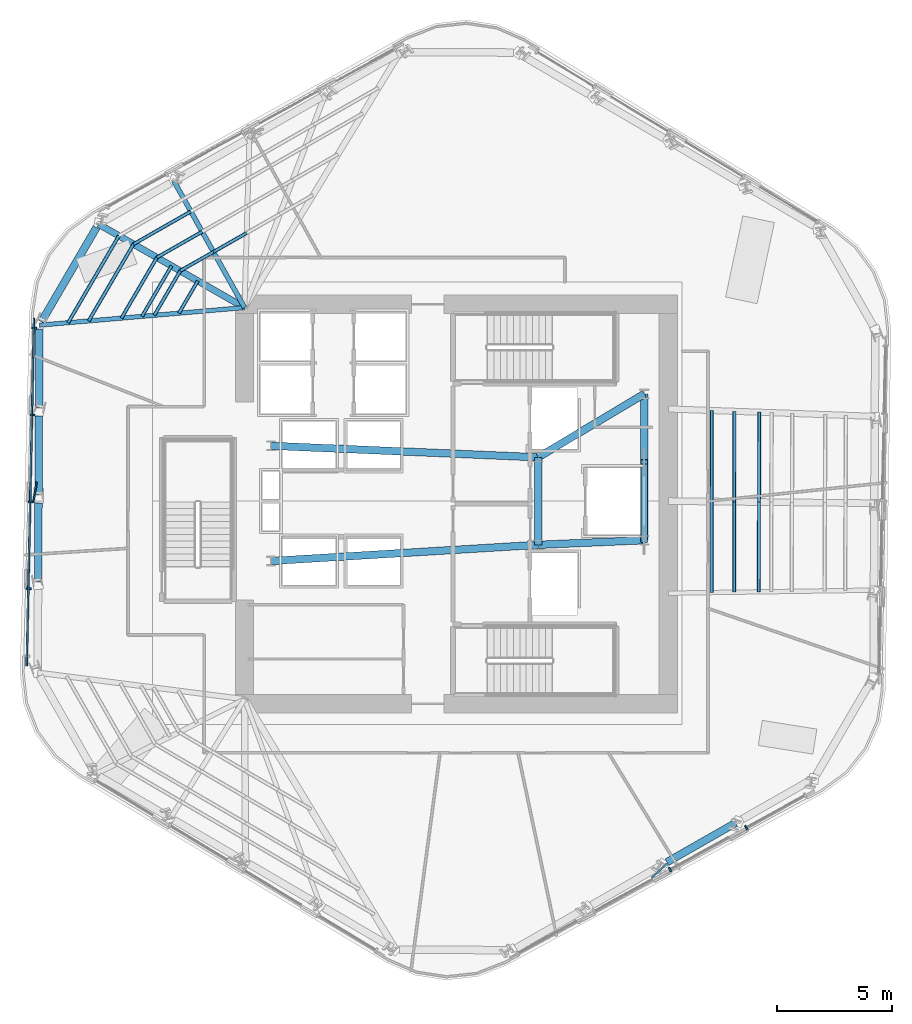
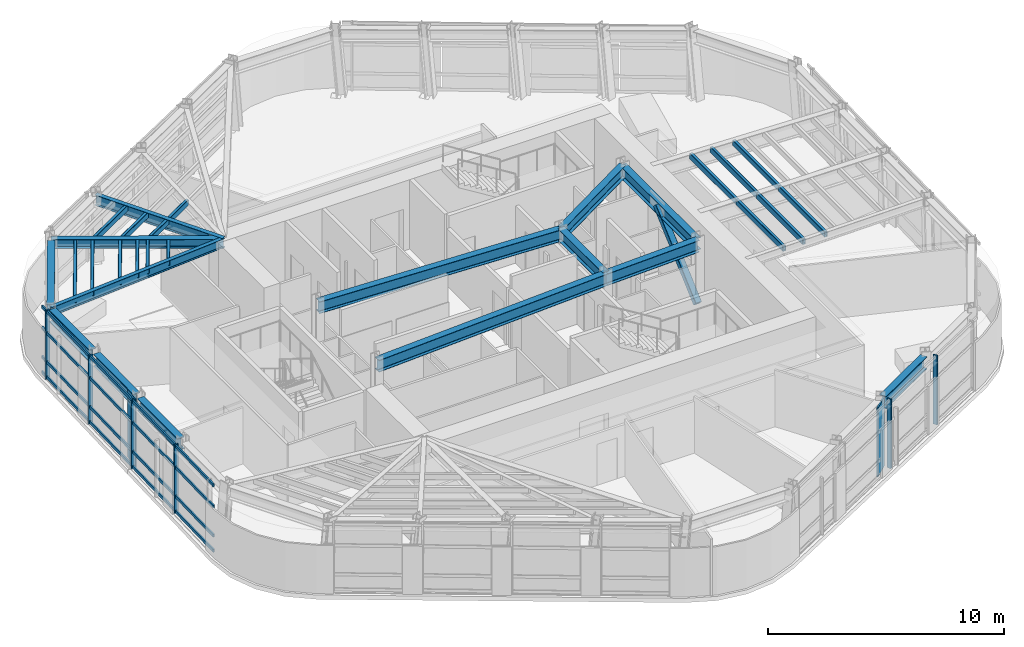
# One storey, part 3 of 14: 29 members, 14 beams, 2 elements without a shape of their own.
"""IFC4 building model written with IfcOpenShell, lengths in metres."""

from ifc_helpers import new_model, si_unit, direction, frame, origin, origin_2d, place, context, subcontext, project, spatial, rectangle, hollow_rectangle, i_section, extrude, material, layer, layer_set, material_profile, profile_set, type_object, element, aggregate, save


model = new_model("IFC4")

# Units and contexts
model_context = context("Model", 3, precision=1e-05, world=origin(), true_north=direction((0.0, 1.0)))
body_context = subcontext(model_context, "Body", "Model", "MODEL_VIEW")
ifc_project = project(units=[si_unit("LENGTHUNIT", "METRE"), si_unit("AREAUNIT", "SQUARE_METRE"), si_unit("VOLUMEUNIT", "CUBIC_METRE"), si_unit("PLANEANGLEUNIT", "RADIAN"), si_unit("MASSUNIT", "GRAM", prefix="KILO")], contexts=[model_context])

# Site, building, storey
site_placement = place(None, origin())
site = spatial("IfcSite", under=ifc_project, at=site_placement, CompositionType="ELEMENT")
building_placement = place(site_placement, origin())
building = spatial("IfcBuilding", under=site, at=building_placement, Name="Valkerne Bourse Tower", CompositionType="ELEMENT")
storey_placement = place(building_placement, frame((0.0, 0.0, 147.60009765625)))
storey = spatial("IfcBuildingStorey", under=building, at=storey_placement, Name="L37", CompositionType="ELEMENT", Elevation=147.60009765625)

# Beams
ifc_material_1 = material(Name="Steel ASTM A992", Category="steel")
ifc_material_profile_1 = material_profile(ifc_material_1, i_section(OverallWidth=0.1904296875, OverallDepth=0.457275390625, WebThickness=0.009033203125, FlangeThickness=0.014404296875, FilletRadius=0.01513671875, at=origin_2d()), Name="W18X50")
ifc_profile_set_1 = profile_set([ifc_material_profile_1], Name="Steel ASTM A992")
beam_type_1 = type_object("IfcBeamType", Name="BM-W18X50", PredefinedType="JOIST", material=ifc_profile_set_1)
beam_1_placement = place(storey_placement, frame((28.696533203125, 34.636962890625, 3.351318359375), z_axis=(0.996348774148, 0.085376344819, 0.0), x_axis=(-0.085376344819, 0.996348774148, 0.0)))
element("IfcBeam", 1, at=beam_1_placement, inside=storey, type_object=beam_type_1, Name="L37 Radial Composite Floor Beam 10", PredefinedType="JOIST", context=body_context, shape_type="SweptSolid", body=[
    extrude(i_section(OverallWidth=0.1904296875, OverallDepth=0.457275390625, WebThickness=0.009033203125, FlangeThickness=0.014404296875, FilletRadius=0.01513671875, at=origin_2d()), origin(), (0.0, 0.0, 1.0), 8.936279296875),
])
ifc_material_profile_2 = material_profile(ifc_material_1, i_section(OverallWidth=0.279296875, OverallDepth=0.46240234375, WebThickness=0.0107421875, FlangeThickness=0.017333984375, FilletRadius=0.017822265625, at=origin_2d()), Name="W18X76")
ifc_profile_set_2 = profile_set([ifc_material_profile_2], Name="Steel ASTM A992")
beam_type_2 = type_object("IfcBeamType", Name="BM-W18X76", PredefinedType="BEAM", material=ifc_profile_set_2)
beam_2_placement = place(storey_placement, frame((31.259521484375, 39.02294921875, 3.3486328125), z_axis=(0.868251371315, -0.496124536996, 0.0), x_axis=(0.496124536996, 0.868251371315, 0.0)))
element("IfcBeam", 2, at=beam_2_placement, inside=storey, type_object=beam_type_2, Name="L37 Radial Composite Floor Beam 09", PredefinedType="BEAM", context=body_context, shape_type="SweptSolid", body=[
    extrude(i_section(OverallWidth=0.279296875, OverallDepth=0.46240234375, WebThickness=0.0107421875, FlangeThickness=0.017333984375, FilletRadius=0.017822265625, at=origin_2d()), origin(), (0.0, 0.0, 1.0), 7.302734375),
])
ifc_material_profile_3 = material_profile(ifc_material_1, i_section(OverallWidth=0.209228515625, OverallDepth=0.533447265625, WebThickness=0.01025390625, FlangeThickness=0.015625, FilletRadius=0.017822265625, at=origin_2d()), Name="W21X62")
ifc_profile_set_3 = profile_set([ifc_material_profile_3], Name="Steel ASTM A992")
beam_type_3 = type_object("IfcBeamType", Name="BM-W21X62", PredefinedType="JOIST", material=ifc_profile_set_3)
beam_3_placement = place(storey_placement, frame((34.53515625, 40.891357421875, 3.313232421875), z_axis=(0.487359275519, -0.87320154407, 0.0), x_axis=(0.87320154407, 0.487359275519, 0.0)))
element("IfcBeam", 3, at=beam_3_placement, inside=storey, type_object=beam_type_3, Name="L37 Radial Composite Floor Beam 08", PredefinedType="JOIST", context=body_context, shape_type="SweptSolid", body=[
    extrude(i_section(OverallWidth=0.209228515625, OverallDepth=0.533447265625, WebThickness=0.01025390625, FlangeThickness=0.015625, FilletRadius=0.017822265625, at=origin_2d()), origin(), (0.0, 0.0, 1.0), 6.288818359375),
])
ifc_material_profile_4 = material_profile(ifc_material_1, i_section(OverallWidth=0.3251953125, OverallDepth=0.612060546875, WebThickness=0.0126953125, FlangeThickness=0.01904296875, FilletRadius=0.020263671875, at=origin_2d()), Name="W24X104")
ifc_profile_set_4 = profile_set([ifc_material_profile_4], Name="Steel ASTM A992")
beam_type_4 = type_object("IfcBeamType", Name="BM-W24X104", PredefinedType="BEAM", material=ifc_profile_set_4)
beam_4_placement = place(storey_placement, frame((50.35009765625, 25.10009765625, 3.27392578125), z_axis=(0.0, 1.0, 0.0), x_axis=(-1.0, 0.0, 0.0)))
element("IfcBeam", 4, at=beam_4_placement, inside=storey, type_object=beam_type_4, Name="L37 Core Frame Girder CG-CE", PredefinedType="BEAM", context=body_context, shape_type="SweptSolid", body=[
    extrude(i_section(OverallWidth=0.3251953125, OverallDepth=0.612060546875, WebThickness=0.0126953125, FlangeThickness=0.01904296875, FilletRadius=0.020263671875, at=origin_2d()), origin(), (0.0, 0.0, 1.0), 3.7998046875),
])
beam_5_placement = place(storey_placement, frame((50.35009765625, 25.10009765625, 3.27392578125), z_axis=(0.999056558506, 0.043428019819, 0.0), x_axis=(-0.043428019819, 0.999056558506, 0.0)))
element("IfcBeam", 5, at=beam_5_placement, inside=storey, type_object=beam_type_4, Name="L37 Core Frame Girder CG-SE", PredefinedType="BEAM", context=body_context, shape_type="SweptSolid", body=[
    extrude(i_section(OverallWidth=0.3251953125, OverallDepth=0.612060546875, WebThickness=0.0126953125, FlangeThickness=0.01904296875, FilletRadius=0.020263671875, at=origin_2d()), origin(), (0.0, 0.0, 1.0), 4.604248046875),
])
beam_6_placement = place(storey_placement, frame((50.35009765625, 28.89990234375, 3.27392578125), z_axis=(0.858307823492, 0.513135148019, 0.0), x_axis=(-0.513135148019, 0.858307823492, 0.0)))
element("IfcBeam", 6, at=beam_6_placement, inside=storey, type_object=beam_type_4, Name="L37 Core Frame Girder CG-NE", PredefinedType="BEAM", context=body_context, shape_type="SweptSolid", body=[
    extrude(i_section(OverallWidth=0.3251953125, OverallDepth=0.612060546875, WebThickness=0.0126953125, FlangeThickness=0.01904296875, FilletRadius=0.020263671875, at=origin_2d()), origin(), (0.0, 0.0, 1.0), 5.359130859375),
])
beam_7_placement = place(storey_placement, frame((54.949951171875, 25.300048828125, 3.27392578125), z_axis=(0.0, 1.0, 0.0), x_axis=(-1.0, 0.0, 0.0)))
element("IfcBeam", 7, at=beam_7_placement, inside=storey, type_object=beam_type_4, Name="L37 Core Frame Girder CG-EE", PredefinedType="BEAM", context=body_context, shape_type="SweptSolid", body=[
    extrude(i_section(OverallWidth=0.3251953125, OverallDepth=0.612060546875, WebThickness=0.0126953125, FlangeThickness=0.01904296875, FilletRadius=0.020263671875, at=origin_2d()), origin(), (0.0, 0.0, 1.0), 6.349853515625),
])
beam_8_placement = place(storey_placement, frame((38.75, 24.39990234375, 3.27392578125), z_axis=(0.998183228389, 0.060251494276, 0.0), x_axis=(-0.060251494276, 0.998183228389, 0.0)))
element("IfcBeam", 8, at=beam_8_placement, inside=storey, type_object=beam_type_4, Name="L37 Core Frame Girder CG-SW", PredefinedType="BEAM", context=body_context, shape_type="SweptSolid", body=[
    extrude(i_section(OverallWidth=0.3251953125, OverallDepth=0.612060546875, WebThickness=0.0126953125, FlangeThickness=0.01904296875, FilletRadius=0.020263671875, at=origin_2d()), origin(), (0.0, 0.0, 1.0), 11.62109375),
])
beam_9_placement = place(storey_placement, frame((38.75, 29.39990234375, 3.27392578125), z_axis=(0.999072354402, -0.043063101019, 0.0), x_axis=(0.043063101019, 0.999072354402, 0.0)))
element("IfcBeam", 9, at=beam_9_placement, inside=storey, type_object=beam_type_4, Name="L37 Core Frame Girder CG-NW", PredefinedType="BEAM", context=body_context, shape_type="SweptSolid", body=[
    extrude(i_section(OverallWidth=0.3251953125, OverallDepth=0.612060546875, WebThickness=0.0126953125, FlangeThickness=0.01904296875, FilletRadius=0.020263671875, at=origin_2d()), origin(), (0.0, 0.0, 1.0), 11.61083984375),
])
ifc_material_profile_5 = material_profile(ifc_material_1, i_section(OverallWidth=0.32763671875, OverallDepth=0.62744140625, WebThickness=0.0166015625, FlangeThickness=0.027587890625, FilletRadius=0.020263671875, at=origin_2d()), Name="W24X146")
ifc_profile_set_5 = profile_set([ifc_material_profile_5], Name="Steel ASTM A992")
beam_type_5 = type_object("IfcBeamType", Name="BM-W24X146", PredefinedType="SPANDREL", material=ifc_profile_set_5)
beam_10_placement = place(storey_placement, frame((31.173828125, 38.876220703125, 3.26611328125), z_axis=(-0.504546579075, -0.863384473768, 0.0), x_axis=(0.863384473768, -0.504546579075, 0.0)))
element("IfcBeam", 10, at=beam_10_placement, inside=storey, type_object=beam_type_5, Name="L37 Hexagonal Spandrel Ring Beam 09", PredefinedType="SPANDREL", context=body_context, shape_type="SweptSolid", body=[
    extrude(i_section(OverallWidth=0.32763671875, OverallDepth=0.62744140625, WebThickness=0.0166015625, FlangeThickness=0.027587890625, FilletRadius=0.020263671875, at=origin_2d()), origin(), (0.0, 0.0, 1.0), 4.739990234375),
])
for number, where, z_axis, x_axis, name in (
    (11, (28.695556640625, 34.466796875, 3.26611328125), (-0.005194550281, -0.999986508233, 0.0), (0.999986508233, -0.005194550281, 0.0), "L37 Hexagonal Spandrel Ring Beam 10"),
    (12, (28.67578125, 30.69580078125, 3.26611328125), (-0.005194550281, -0.999986508233, 0.0), (0.999986508233, -0.005194550281, 0.0), "L37 Hexagonal Spandrel Ring Beam 11"),
):
    element("IfcBeam", number, at=place(storey_placement, frame(where, z_axis=z_axis, x_axis=x_axis)), inside=storey, type_object=beam_type_5, Name=name, PredefinedType="SPANDREL", context=body_context, shape_type="SweptSolid", body=[
        extrude(i_section(OverallWidth=0.32763671875, OverallDepth=0.62744140625, WebThickness=0.0166015625, FlangeThickness=0.027587890625, FilletRadius=0.020263671875, at=origin_2d()), origin(), (0.0, 0.0, 1.0), 3.430908203125),
    ])
beam_11_placement = place(storey_placement, frame((28.656005859375, 26.925048828125, 3.26611328125), z_axis=(-0.005194180677, -0.999986510153, 0.0), x_axis=(0.999986510153, -0.005194180677, 0.0)))
element("IfcBeam", 13, at=beam_11_placement, inside=storey, type_object=beam_type_5, Name="L37 Hexagonal Spandrel Ring Beam 12", PredefinedType="SPANDREL", context=body_context, shape_type="SweptSolid", body=[
    extrude(i_section(OverallWidth=0.32763671875, OverallDepth=0.62744140625, WebThickness=0.0166015625, FlangeThickness=0.027587890625, FilletRadius=0.020263671875, at=origin_2d()), origin(), (0.0, 0.0, 1.0), 3.43115234375),
])
beam_12_placement = place(storey_placement, frame((55.93701171875, 11.324462890625, 3.26611328125), z_axis=(0.868606383986, 0.495502724209, 0.0), x_axis=(-0.495502724209, 0.868606383986, 0.0)))
element("IfcBeam", 14, at=beam_12_placement, inside=storey, type_object=beam_type_5, Name="L37 Hexagonal Spandrel Ring Beam 22", PredefinedType="SPANDREL", context=body_context, shape_type="SweptSolid", body=[
    extrude(i_section(OverallWidth=0.32763671875, OverallDepth=0.62744140625, WebThickness=0.0166015625, FlangeThickness=0.027587890625, FilletRadius=0.020263671875, at=origin_2d()), origin(), (0.0, 0.0, 1.0), 3.4306640625),
])

# Curtain wall, members
ifc_material_2 = material(Name="Aluminium AA 6063-T6", Category="aluminium")
ifc_layer = layer(ifc_material_2, 0.235107421875)
ifc_layer_set = layer_set([ifc_layer], Name="Aluminium AA 6063-T6")
curtain_wall_type = type_object("IfcCurtainWallType", Name="CW-03", PredefinedType="NOTDEFINED", material=ifc_layer_set)
curtain_wall_1_placement = place(storey_placement, origin())
curtain_wall_1 = element("IfcCurtainWall", 15, at=curtain_wall_1_placement, inside=storey, type_object=curtain_wall_type, Name="L37 Hexagonal Stick Curtain Wall Face 3", PredefinedType="NOTDEFINED")
ifc_material_profile_6 = material_profile(ifc_material_2, rectangle(XDim=0.074951171875, YDim=0.199951171875, at=origin_2d()), Name="CWM-75X200")
ifc_profile_set_6 = profile_set([ifc_material_profile_6], Name="Aluminium AA 6063-T6")
member_type_1 = type_object("IfcMemberType", Name="CW-MUL-220X75", PredefinedType="MULLION", material=ifc_profile_set_6)
member_1_placement = place(storey_placement, frame((28.469970703125, 34.507568359375, 0.0), z_axis=(0.0, 0.0, 1.0), x_axis=(-0.020949197063, -0.99978054149, 0.0)))
member_1 = element("IfcMember", 16, at=member_1_placement, type_object=member_type_1, Name="CW-L37-F3 Jamb Mullion 00A", PredefinedType="MULLION", context=body_context, shape_type="SweptSolid", body=[
    extrude(rectangle(XDim=0.074951171875, YDim=0.199951171875, at=origin_2d()), origin(), (0.0, 0.0, 1.0), 3.579833984375),
])
member_2_placement = place(storey_placement, frame((28.39111328125, 30.7373046875, 0.0), z_axis=(0.0, 0.0, 1.0), x_axis=(-0.020949752497, -0.999780529852, 0.0)))
member_2 = element("IfcMember", 17, at=member_2_placement, type_object=member_type_1, Name="CW-L37-F3 Jamb Mullion 01A", PredefinedType="MULLION", context=body_context, shape_type="SweptSolid", body=[
    extrude(rectangle(XDim=0.074951171875, YDim=0.199951171875, at=origin_2d()), origin(), (0.0, 0.0, 1.0), 3.579833984375),
])
member_3_placement = place(storey_placement, frame((28.31201171875, 26.96728515625, 0.0), z_axis=(0.0, 0.0, 1.0), x_axis=(-0.020922690712, -0.999781096547, 0.0)))
member_3 = element("IfcMember", 18, at=member_3_placement, type_object=member_type_1, Name="CW-L37-F3 Jamb Mullion 02A", PredefinedType="MULLION", context=body_context, shape_type="SweptSolid", body=[
    extrude(rectangle(XDim=0.074951171875, YDim=0.199951171875, at=origin_2d()), origin(), (0.0, 0.0, 1.0), 3.579833984375),
])
member_4_placement = place(storey_placement, frame((28.233154296875, 23.197021484375, 0.0), z_axis=(0.0, 0.0, 1.0), x_axis=(-0.020949197063, -0.99978054149, 0.0)))
member_4 = element("IfcMember", 19, at=member_4_placement, type_object=member_type_1, Name="CW-L37-F3 Jamb Mullion 03A", PredefinedType="MULLION", context=body_context, shape_type="SweptSolid", body=[
    extrude(rectangle(XDim=0.074951171875, YDim=0.199951171875, at=origin_2d()), origin(), (0.0, 0.0, 1.0), 3.579833984375),
])

curtain_wall_2_placement = place(storey_placement, origin())
curtain_wall_2 = element("IfcCurtainWall", 20, at=curtain_wall_2_placement, inside=storey, type_object=curtain_wall_type, Name="L37 Hexagonal Stick Curtain Wall Face 5", PredefinedType="NOTDEFINED")
member_5_placement = place(storey_placement, frame((56.072509765625, 11.00537109375, 0.0), z_axis=(0.0, 0.0, 1.0), x_axis=(0.876302677548, 0.481760954543, 0.0)))
member_5 = element("IfcMember", 21, at=member_5_placement, type_object=member_type_1, Name="CW-L37-F5 Jamb Mullion 02A", PredefinedType="MULLION", context=body_context, shape_type="SweptSolid", body=[
    extrude(rectangle(XDim=0.074951171875, YDim=0.199951171875, at=origin_2d()), origin(), (0.0, 0.0, 1.0), 3.579833984375),
])
member_6_placement = place(storey_placement, frame((59.376953125, 12.822021484375, 0.0), z_axis=(0.0, 0.0, 1.0), x_axis=(0.876308832094, 0.481749759516, 0.0)))
member_6 = element("IfcMember", 22, at=member_6_placement, type_object=member_type_1, Name="CW-L37-F5 Jamb Mullion 03A", PredefinedType="MULLION", context=body_context, shape_type="SweptSolid", body=[
    extrude(rectangle(XDim=0.074951171875, YDim=0.199951171875, at=origin_2d()), origin(), (0.0, 0.0, 1.0), 3.579833984375),
])
aggregate(curtain_wall_2, [member_5, member_6])

# Member
ifc_material_profile_7 = material_profile(ifc_material_2, rectangle(XDim=0.074951171875, YDim=0.14990234375, at=origin_2d()), Name="CWT-75X150")
ifc_profile_set_7 = profile_set([ifc_material_profile_7], Name="Aluminium AA 6063-T6")
member_type_2 = type_object("IfcMemberType", Name="CW-TRN-180X65", PredefinedType="USERDEFINED", material=ifc_profile_set_7)
member_7_placement = place(storey_placement, frame((28.458740234375, 34.927734375, 0.119873046875), z_axis=(-0.020944085467, -0.999780648584, 0.0), x_axis=(0.999780648584, -0.020944085467, 0.0)))
member_7 = element("IfcMember", 23, at=member_7_placement, type_object=member_type_2, Name="CW-L37-F3 Continuous Face Transom 1", ObjectType="TRANSOM", PredefinedType="USERDEFINED", context=body_context, shape_type="SweptSolid", body=[
    extrude(rectangle(XDim=0.074951171875, YDim=0.14990234375, at=origin_2d()), origin(), (0.0, 0.0, 1.0), 15.083984375),
])

member_8_placement = place(storey_placement, frame((28.458740234375, 34.927734375, 0.89990234375), z_axis=(-0.020944085467, -0.999780648584, 0.0), x_axis=(0.999780648584, -0.020944085467, 0.0)))
member_8 = element("IfcMember", 24, at=member_8_placement, type_object=member_type_2, Name="CW-L37-F3 Continuous Face Transom 2", ObjectType="TRANSOM", PredefinedType="USERDEFINED", context=body_context, shape_type="SweptSolid", body=[
    extrude(rectangle(XDim=0.074951171875, YDim=0.14990234375, at=origin_2d()), origin(), (0.0, 0.0, 1.0), 15.083984375),
])

member_9_placement = place(storey_placement, frame((28.458740234375, 34.927734375, 2.39990234375), z_axis=(-0.020944085467, -0.999780648584, 0.0), x_axis=(0.999780648584, -0.020944085467, 0.0)))
member_9 = element("IfcMember", 25, at=member_9_placement, type_object=member_type_2, Name="CW-L37-F3 Continuous Face Transom 3", ObjectType="TRANSOM", PredefinedType="USERDEFINED", context=body_context, shape_type="SweptSolid", body=[
    extrude(rectangle(XDim=0.074951171875, YDim=0.14990234375, at=origin_2d()), origin(), (0.0, 0.0, 1.0), 15.083984375),
])

member_10_placement = place(storey_placement, frame((28.458740234375, 34.927734375, 3.5), z_axis=(-0.020944085467, -0.999780648584, 0.0), x_axis=(0.999780648584, -0.020944085467, 0.0)))
member_10 = element("IfcMember", 26, at=member_10_placement, type_object=member_type_2, Name="CW-L37-F3 Continuous Face Transom 4", ObjectType="TRANSOM", PredefinedType="USERDEFINED", context=body_context, shape_type="SweptSolid", body=[
    extrude(rectangle(XDim=0.074951171875, YDim=0.14990234375, at=origin_2d()), origin(), (0.0, 0.0, 1.0), 15.083984375),
])

aggregate(curtain_wall_1, [member_7, member_8, member_9, member_10, member_1, member_2, member_3, member_4])

# Members
ifc_material_3 = material(Name="Bronze Anodised Aluminium AA 6063-T6", Category="aluminium")
ifc_material_profile_8 = material_profile(ifc_material_3, rectangle(XDim=0.070068359375, YDim=0.89990234375, at=origin_2d()), Name="FIN-70X900")
ifc_profile_set_8 = profile_set([ifc_material_profile_8], Name="Bronze Anodised Aluminium AA 6063-T6")
member_type_3 = type_object("IfcMemberType", Name="FIN-SOLAR-900", PredefinedType="USERDEFINED", material=ifc_profile_set_8)
for number, where, z_axis, x_axis, name in (
    (27, (28.500732421875, 27.38330078125, 0.00390625), (0.0, 0.0, 1.0), (-0.986662595577, 0.162778753188, 0.0), "L37 Bronze Anodised Solar Fin F3-02"),
    (28, (55.61767578125, 10.960693359375, 0.00390625), (0.0, 0.0, 1.0), (0.678560602078, -0.734544422964, 0.0), "L37 Bronze Anodised Solar Fin F5-02"),
):
    element("IfcMember", number, at=place(storey_placement, frame(where, z_axis=z_axis, x_axis=x_axis)), inside=storey, type_object=member_type_3, Name=name, ObjectType="SOLAR_FIN", PredefinedType="USERDEFINED", context=body_context, shape_type="SweptSolid", body=[
        extrude(rectangle(XDim=0.070068359375, YDim=0.89990234375, at=origin_2d()), origin(), (0.0, 0.0, 1.0), 3.572021484375),
    ])
ifc_material_4 = material(Name="Steel ASTM A500 Grade C", Category="steel")
ifc_material_profile_9 = material_profile(ifc_material_4, hollow_rectangle(XDim=0.14990234375, YDim=0.300048828125, WallThickness=0.012451171875, OuterFilletRadius=0.02490234375, at=origin_2d()), Name="HSS300X150X12.5")
ifc_profile_set_9 = profile_set([ifc_material_profile_9], Name="Steel ASTM A500 Grade C")
member_type_4 = type_object("IfcMemberType", Name="MBR-HSS300X150X12.5", PredefinedType="PURLIN", material=ifc_profile_set_9)
member_11_placement = place(storey_placement, frame((35.571044921875, 36.559326171875, 3.419921875), z_axis=(-0.50447787418, -0.863424620024, 0.0), x_axis=(0.863424620024, -0.50447787418, 0.0)))
element("IfcMember", 29, at=member_11_placement, inside=storey, type_object=member_type_4, Name="L37 Secondary Composite Floor Purlin I-09", PredefinedType="PURLIN", context=body_context, shape_type="SweptSolid", body=[
    extrude(hollow_rectangle(XDim=0.14990234375, YDim=0.300048828125, WallThickness=0.012451171875, OuterFilletRadius=0.02490234375, at=origin_2d()), origin(), (0.0, 0.0, 1.0), 1.62548828125),
])
member_12_placement = place(storey_placement, frame((58.85546875, 23.04296875, 3.419921875), z_axis=(0.001616611703, 0.999998693282, 0.0), x_axis=(-0.999998693282, 0.001616611703, 0.0)))
element("IfcMember", 30, at=member_12_placement, inside=storey, type_object=member_type_4, Name="L37 Secondary Composite Floor Purlin I-26", PredefinedType="PURLIN", context=body_context, shape_type="SweptSolid", body=[
    extrude(hollow_rectangle(XDim=0.14990234375, YDim=0.300048828125, WallThickness=0.012451171875, OuterFilletRadius=0.02490234375, at=origin_2d()), origin(), (0.0, 0.0, 1.0), 3.926513671875),
])
member_13_placement = place(storey_placement, frame((58.86181640625, 26.969482421875, 3.419921875), z_axis=(0.001616511193, 0.999998693445, 0.0), x_axis=(-0.999998693445, 0.001616511193, 0.0)))
element("IfcMember", 31, at=member_13_placement, inside=storey, type_object=member_type_4, Name="L37 Secondary Composite Floor Purlin I-27", PredefinedType="PURLIN", context=body_context, shape_type="SweptSolid", body=[
    extrude(hollow_rectangle(XDim=0.14990234375, YDim=0.300048828125, WallThickness=0.012451171875, OuterFilletRadius=0.02490234375, at=origin_2d()), origin(), (0.0, 0.0, 1.0), 3.9267578125),
])
member_14_placement = place(storey_placement, frame((37.69287109375, 38.63818359375, 3.419921875), z_axis=(-0.868668374271, -0.495394040679, 0.0), x_axis=(0.495394040679, -0.868668374271, 0.0)))
element("IfcMember", 32, at=member_14_placement, inside=storey, type_object=member_type_4, Name="L37 Secondary Composite Floor Purlin K-07", PredefinedType="PURLIN", context=body_context, shape_type="SweptSolid", body=[
    extrude(hollow_rectangle(XDim=0.14990234375, YDim=0.300048828125, WallThickness=0.012451171875, OuterFilletRadius=0.02490234375, at=origin_2d()), origin(), (0.0, 0.0, 1.0), 1.659423828125),
])
member_15_placement = place(storey_placement, frame((36.25146484375, 37.816162109375, 3.419921875), z_axis=(-0.868632258867, -0.495457363308, 0.0), x_axis=(0.495457363308, -0.868632258867, 0.0)))
element("IfcMember", 33, at=member_15_placement, inside=storey, type_object=member_type_4, Name="L37 Secondary Composite Floor Purlin K-08", PredefinedType="PURLIN", context=body_context, shape_type="SweptSolid", body=[
    extrude(hollow_rectangle(XDim=0.14990234375, YDim=0.300048828125, WallThickness=0.012451171875, OuterFilletRadius=0.02490234375, at=origin_2d()), origin(), (0.0, 0.0, 1.0), 1.6591796875),
])
member_16_placement = place(storey_placement, frame((34.810302734375, 36.994140625, 3.419921875), z_axis=(-0.504502461884, -0.86341025356, 0.0), x_axis=(0.86341025356, -0.504502461884, 0.0)))
element("IfcMember", 34, at=member_16_placement, inside=storey, type_object=member_type_4, Name="L37 Secondary Composite Floor Purlin K-09", PredefinedType="PURLIN", context=body_context, shape_type="SweptSolid", body=[
    extrude(hollow_rectangle(XDim=0.14990234375, YDim=0.300048828125, WallThickness=0.012451171875, OuterFilletRadius=0.02490234375, at=origin_2d()), origin(), (0.0, 0.0, 1.0), 2.2353515625),
])
for number, where, z_axis, x_axis, name in (
    (35, (59.92626953125, 23.05908203125, 3.419921875), (0.002191466781, 0.999997598734, 0.0), (-0.999997598734, 0.002191466781, 0.0), "L37 Secondary Composite Floor Purlin K-26"),
    (36, (59.934814453125, 26.958251953125, 3.419921875), (0.002254079804, 0.999997459559, 0.0), (-0.999997459559, 0.002254079804, 0.0), "L37 Secondary Composite Floor Purlin K-27"),
):
    element("IfcMember", number, at=place(storey_placement, frame(where, z_axis=z_axis, x_axis=x_axis)), inside=storey, type_object=member_type_4, Name=name, PredefinedType="PURLIN", context=body_context, shape_type="SweptSolid", body=[
        extrude(hollow_rectangle(XDim=0.14990234375, YDim=0.300048828125, WallThickness=0.012451171875, OuterFilletRadius=0.02490234375, at=origin_2d()), origin(), (0.0, 0.0, 1.0), 3.899169921875),
    ])
member_17_placement = place(storey_placement, frame((34.4296875, 37.21142578125, 3.419921875), z_axis=(-0.504552200044, -0.863381188949, 0.0), x_axis=(0.863381188949, -0.504552200044, 0.0)))
element("IfcMember", 37, at=member_17_placement, inside=storey, type_object=member_type_4, Name="L37 Secondary Composite Floor Purlin M-09", PredefinedType="PURLIN", context=body_context, shape_type="SweptSolid", body=[
    extrude(hollow_rectangle(XDim=0.14990234375, YDim=0.300048828125, WallThickness=0.012451171875, OuterFilletRadius=0.02490234375, at=origin_2d()), origin(), (0.0, 0.0, 1.0), 2.539794921875),
])
member_18_placement = place(storey_placement, frame((35.270751953125, 39.573486328125, 3.419921875), z_axis=(-0.868641270386, -0.495441564045, 0.0), x_axis=(0.495441564045, -0.868641270386, 0.0)))
element("IfcMember", 38, at=member_18_placement, inside=storey, type_object=member_type_4, Name="L37 Secondary Composite Floor Purlin O-08", PredefinedType="PURLIN", context=body_context, shape_type="SweptSolid", body=[
    extrude(hollow_rectangle(XDim=0.14990234375, YDim=0.300048828125, WallThickness=0.012451171875, OuterFilletRadius=0.02490234375, at=origin_2d()), origin(), (0.0, 0.0, 1.0), 2.865966796875),
])
member_19_placement = place(storey_placement, frame((32.78125, 38.153564453125, 3.419921875), z_axis=(-0.504539248377, -0.863388757656, 0.0), x_axis=(0.863388757656, -0.504539248377, 0.0)))
element("IfcMember", 39, at=member_19_placement, inside=storey, type_object=member_type_4, Name="L37 Secondary Composite Floor Purlin O-09", PredefinedType="PURLIN", context=body_context, shape_type="SweptSolid", body=[
    extrude(hollow_rectangle(XDim=0.14990234375, YDim=0.300048828125, WallThickness=0.012451171875, OuterFilletRadius=0.02490234375, at=origin_2d()), origin(), (0.0, 0.0, 1.0), 3.86083984375),
])
member_20_placement = place(storey_placement, frame((35.760986328125, 38.69482421875, 3.419921875), z_axis=(-0.868588252034, -0.495534507807, 0.0), x_axis=(0.495534507807, -0.868588252034, 0.0)))
element("IfcMember", 40, at=member_20_placement, inside=storey, type_object=member_type_4, Name="L37 Secondary Composite Floor Purlin Z-08", PredefinedType="PURLIN", context=body_context, shape_type="SweptSolid", body=[
    extrude(hollow_rectangle(XDim=0.14990234375, YDim=0.300048828125, WallThickness=0.012451171875, OuterFilletRadius=0.02490234375, at=origin_2d()), origin(), (0.0, 0.0, 1.0), 2.262451171875),
])
member_21_placement = place(storey_placement, frame((33.7958984375, 37.57373046875, 3.419921875), z_axis=(-0.504602910962, -0.863351551946, 0.0), x_axis=(0.863351551946, -0.504602910962, 0.0)))
element("IfcMember", 41, at=member_21_placement, inside=storey, type_object=member_type_4, Name="L37 Secondary Composite Floor Purlin Z-09", PredefinedType="PURLIN", context=body_context, shape_type="SweptSolid", body=[
    extrude(hollow_rectangle(XDim=0.14990234375, YDim=0.300048828125, WallThickness=0.012451171875, OuterFilletRadius=0.02490234375, at=origin_2d()), origin(), (0.0, 0.0, 1.0), 3.048095703125),
])
member_22_placement = place(storey_placement, frame((57.873779296875, 23.0283203125, 3.419921875), z_axis=(0.001050289795, 0.999999448446, 0.0), x_axis=(-0.999999448446, 0.001050289795, 0.0)))
element("IfcMember", 42, at=member_22_placement, inside=storey, type_object=member_type_4, Name="L37 Secondary Composite Floor Purlin S-26", PredefinedType="PURLIN", context=body_context, shape_type="SweptSolid", body=[
    extrude(hollow_rectangle(XDim=0.14990234375, YDim=0.300048828125, WallThickness=0.012451171875, OuterFilletRadius=0.02490234375, at=origin_2d()), origin(), (0.0, 0.0, 1.0), 3.95166015625),
])
member_23_placement = place(storey_placement, frame((57.8779296875, 26.97998046875, 3.419921875), z_axis=(0.00105022491, 0.999999448514, 0.0), x_axis=(-0.999999448514, 0.00105022491, 0.0)))
element("IfcMember", 43, at=member_23_placement, inside=storey, type_object=member_type_4, Name="L37 Secondary Composite Floor Purlin S-27", PredefinedType="PURLIN", context=body_context, shape_type="SweptSolid", body=[
    extrude(hollow_rectangle(XDim=0.14990234375, YDim=0.300048828125, WallThickness=0.012451171875, OuterFilletRadius=0.02490234375, at=origin_2d()), origin(), (0.0, 0.0, 1.0), 3.951904296875),
])
member_24_placement = place(storey_placement, frame((32.147216796875, 38.515869140625, 3.419921875), z_axis=(-0.504492823348, -0.863415885417, 0.0), x_axis=(0.863415885417, -0.504492823348, 0.0)))
element("IfcMember", 44, at=member_24_placement, inside=storey, type_object=member_type_4, Name="L37 Secondary Composite Floor Purlin T-09", PredefinedType="PURLIN", context=body_context, shape_type="SweptSolid", body=[
    extrude(hollow_rectangle(XDim=0.14990234375, YDim=0.300048828125, WallThickness=0.012451171875, OuterFilletRadius=0.02490234375, at=origin_2d()), origin(), (0.0, 0.0, 1.0), 4.368896484375),
])
ifc_material_profile_10 = material_profile(ifc_material_4, hollow_rectangle(XDim=0.300048828125, YDim=0.300048828125, WallThickness=0.012451171875, OuterFilletRadius=0.02490234375, at=origin_2d()), Name="HSS300X300X12.5")
ifc_profile_set_10 = profile_set([ifc_material_profile_10], Name="Steel ASTM A500 Grade C")
member_type_5 = type_object("IfcMemberType", Name="MBR-HSS300X300X12.5", PredefinedType="STRUT", material=ifc_profile_set_10)
member_25_placement = place(storey_placement, frame((54.949951171875, 25.300048828125, 0.219970703125), z_axis=(0.0, 0.743941933778, 0.668244266094), x_axis=(-1.0, 0.0, 0.0)))
element("IfcMember", 45, at=member_25_placement, inside=storey, type_object=member_type_5, Name="L37 Core Service Pier Lateral Brace", PredefinedType="STRUT", context=body_context, shape_type="SweptSolid", body=[
    extrude(hollow_rectangle(XDim=0.300048828125, YDim=0.300048828125, WallThickness=0.012451171875, OuterFilletRadius=0.02490234375, at=origin_2d()), origin(), (0.0, 0.0, 1.0), 4.570068359375),
])

save(model, "model.ifc")
